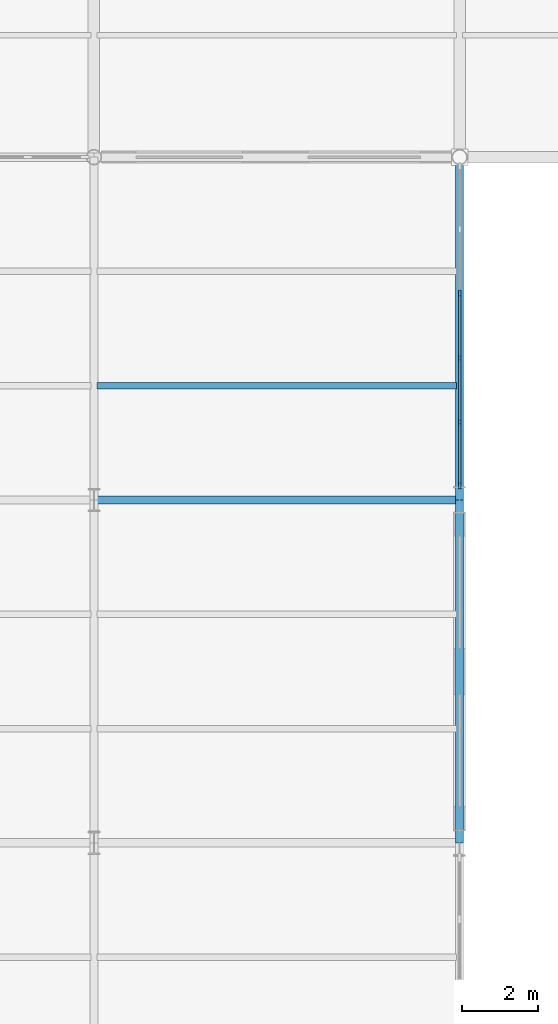
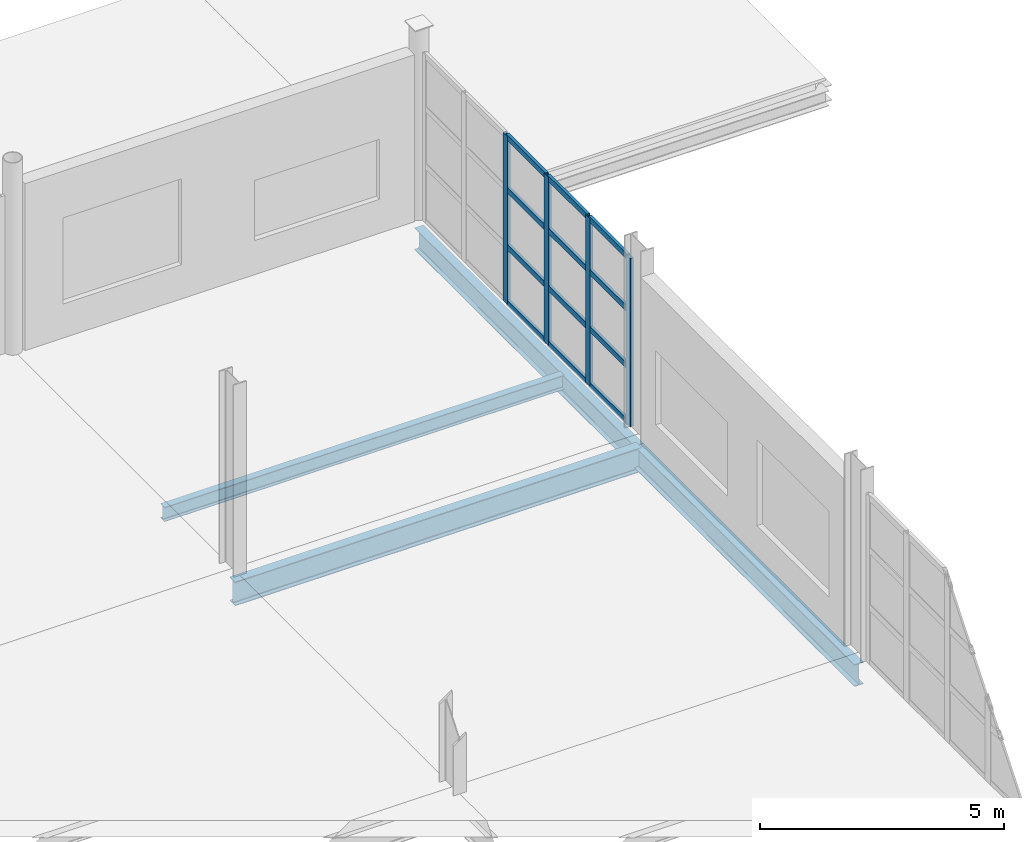
# One storey, part 25 of 120: 16 members, 4 beams, 1 element without a shape of its own.
"""IFC4 building model written with IfcOpenShell, lengths in metres."""

import ifcopenshell
import ifcopenshell.guid

model = None  # the IFC model being written
_history = None  # IfcOwnerHistory: only IFC2X3 demands one
_inside = {}  # id of a spatial element -> (the spatial element, [elements in it])
_under = {}  # id of a project, library or spatial element -> (it, [spatial elements below it])
_declared = {}  # id of a project -> (the project, [libraries it declares])
_typed = {}  # id of a type object -> (the type object, [elements of that type])
_made_of = {}  # id of a material, layer set ... -> (it, [elements and type objects made of it])


def new_model(schema):
    """Start an empty IFC model of exactly this schema.

    Asked for "IFC4X3", IfcOpenShell would pick the latest addendum, in which some entities
    have other attributes; the version numbers below select the first issue.
    IFC2X3 requires an IfcOwnerHistory on every rooted entity: one is made here for all.
    """
    global model, _history
    if schema == "IFC4X3":
        model = ifcopenshell.file(schema_version=(4, 3, 0, 0))
    else:
        model = ifcopenshell.file(schema=schema)
    _inside.clear()
    _under.clear()
    _declared.clear()
    _typed.clear()
    _made_of.clear()
    _history = None
    if model.schema == "IFC2X3":
        org = make("IfcOrganization", Name="unknown")
        user = make(
            "IfcPersonAndOrganization",
            ThePerson=make("IfcPerson", FamilyName="unknown"),
            TheOrganization=org,
        )
        app = make(
            "IfcApplication",
            ApplicationDeveloper=org,
            Version="unknown",
            ApplicationFullName="unknown",
            ApplicationIdentifier="unknown",
        )
        _history = make(
            "IfcOwnerHistory",
            OwningUser=user,
            OwningApplication=app,
            ChangeAction="ADDED",
            CreationDate=0,
        )
    return model


def make(cls, **values):
    """One entity of the class cls with the attributes given. An attribute that is None is left unset."""
    return model.create_entity(
        cls, **{name: value for name, value in values.items() if value is not None}
    )


def rooted(cls, **values):
    """An entity with a GlobalId (a new one), such as an element, a storey or a relation."""
    return make(cls, GlobalId=ifcopenshell.guid.new(), OwnerHistory=_history, **values)


def si_unit(unit_type, name, prefix=None):
    """IfcSIUnit, for example si_unit("LENGTHUNIT", "METRE", prefix="MILLI")."""
    return make("IfcSIUnit", UnitType=unit_type, Prefix=prefix, Name=name)


def assignment(units):
    """IfcUnitAssignment: the units of a project."""
    return None if units is None else make("IfcUnitAssignment", Units=units)


def point(xyz):
    """IfcCartesianPoint."""
    return None if xyz is None else make("IfcCartesianPoint", Coordinates=xyz)


def direction(xyz):
    """IfcDirection."""
    return None if xyz is None else make("IfcDirection", DirectionRatios=xyz)


def frame(location, z_axis=None, x_axis=None):
    """IfcAxis2Placement3D, a coordinate frame: its origin and axes. An axis left out is left unset."""
    return make(
        "IfcAxis2Placement3D",
        Location=point(location),
        Axis=direction(z_axis),
        RefDirection=direction(x_axis),
    )


def frame_2d(location, x_axis=None):
    """IfcAxis2Placement2D, a coordinate frame in the plane: its origin and x axis."""
    return make(
        "IfcAxis2Placement2D", Location=point(location), RefDirection=direction(x_axis)
    )


def origin():
    """The frame at (0, 0, 0) with its axes left unset."""
    return frame((0.0, 0.0, 0.0))


def origin_2d():
    """The frame at (0, 0) in the plane with its x axis left unset."""
    return frame_2d((0.0, 0.0))


def place(relative_to, where):
    """IfcLocalPlacement: puts the frame where relative to a parent placement (None: the world)."""
    return make(
        "IfcLocalPlacement", PlacementRelTo=relative_to, RelativePlacement=where
    )


def context(
    kind, dimensions, precision=None, world=None, true_north=None, identifier=None
):
    """IfcGeometricRepresentationContext, for example the 3D "Model" context."""
    return make(
        "IfcGeometricRepresentationContext",
        ContextIdentifier=identifier,
        ContextType=kind,
        CoordinateSpaceDimension=dimensions,
        Precision=precision,
        WorldCoordinateSystem=world,
        TrueNorth=true_north,
    )


def subcontext(parent, identifier, kind, view, scale=None):
    """IfcGeometricRepresentationSubContext, for example "Body" below "Model"."""
    return make(
        "IfcGeometricRepresentationSubContext",
        ContextIdentifier=identifier,
        ContextType=kind,
        ParentContext=parent,
        TargetScale=scale,
        TargetView=view,
    )


def project(units=None, contexts=None):
    """IfcProject with its units and contexts."""
    return rooted(
        "IfcProject",
        Name="project",
        RepresentationContexts=contexts,
        UnitsInContext=assignment(units),
    )


def spatial(cls, under=None, at=None, **own):
    """A site, building, storey or space (cls), placed at a placement, below another one or the project."""
    s = rooted(cls, ObjectPlacement=at, **own)
    if under is not None:
        _under.setdefault(under.id(), (under, []))[1].append(s)
    return s


def profile(cls, at=None, kind="AREA", **sizes):
    """A parametric profile (cls). Its sizes go by their IFC names, for example OverallWidth=200.0."""
    return make(cls, ProfileType=kind, Position=at, **sizes)


def rectangle(**sizes):
    """IfcRectangleProfileDef."""
    return profile("IfcRectangleProfileDef", **sizes)


def i_section(**sizes):
    """IfcIShapeProfileDef."""
    return profile("IfcIShapeProfileDef", **sizes)


def extrude(swept, where, along, depth):
    """IfcExtrudedAreaSolid: the profile swept, set in the frame where, extruded along a direction by depth."""
    return make(
        "IfcExtrudedAreaSolid",
        SweptArea=swept,
        Position=where,
        ExtrudedDirection=direction(along),
        Depth=depth,
    )


def shape(context_of_items, identifier, shape_type, items):
    """IfcShapeRepresentation: the items that make up one representation, for example the "Body"."""
    return make(
        "IfcShapeRepresentation",
        ContextOfItems=context_of_items,
        RepresentationIdentifier=identifier,
        RepresentationType=shape_type,
        Items=items,
    )


def material(Name=None, Category=None):
    """IfcMaterial."""
    return make("IfcMaterial", Name=Name, Category=Category)


def layer(
    of_material, thickness, ventilated=None, Name=None, Category=None, Priority=None
):
    """IfcMaterialLayer: one layer of a wall or slab, of a material (None: an air gap)."""
    return make(
        "IfcMaterialLayer",
        Material=of_material,
        LayerThickness=thickness,
        IsVentilated=ventilated,
        Name=Name,
        Category=Category,
        Priority=Priority,
    )


def layer_set(layers, Name=None):
    """IfcMaterialLayerSet."""
    return make("IfcMaterialLayerSet", MaterialLayers=layers, LayerSetName=Name)


def material_profile(
    of_material, cross_section, Name=None, Category=None, Priority=None
):
    """IfcMaterialProfile: a cross section and its material."""
    return make(
        "IfcMaterialProfile",
        Name=Name,
        Material=of_material,
        Profile=cross_section,
        Priority=Priority,
        Category=Category,
    )


def profile_set(profiles, Name=None, composite=None):
    """IfcMaterialProfileSet."""
    return make(
        "IfcMaterialProfileSet",
        Name=Name,
        MaterialProfiles=profiles,
        CompositeProfile=composite,
    )


def made_of(thing, what):
    """Note that an element or type object is made of a material, layer set ...; save() writes the relation."""
    if what is not None:
        _made_of.setdefault(what.id(), (what, []))[1].append(thing)
    return thing


def type_object(cls, material=None, **own):
    """A type object (cls), such as IfcWallType, which elements share."""
    return made_of(rooted(cls, **own), material)


def element(
    cls,
    number,
    at=None,
    inside=None,
    cuts=None,
    type_object=None,
    material=None,
    context=None,
    identifier="Body",
    shape_type=None,
    held_by="IfcProductDefinitionShape",
    body=None,
    shapes=None,
    **own,
):
    """One element of the class cls, such as IfcWall. Its Tag is "e" and its number.

    at: its placement. inside: the storey or other place that contains it. cuts: it is an
    opening in that element (IfcRelVoidsElement). A single representation is given by context,
    identifier, shape_type and body (its items); several are given by shapes. held_by: the class
    of the entity that holds the representations. save() writes the other relations.
    """
    e = rooted(cls, Tag="e%d" % number, ObjectPlacement=at, **own)
    if body is not None:
        shapes = [shape(context, identifier, shape_type, body)]
    if shapes is not None:
        e.Representation = make(held_by, Representations=shapes)
    if inside is not None:
        _inside.setdefault(inside.id(), (inside, []))[1].append(e)
    if cuts is not None:
        rooted(
            "IfcRelVoidsElement", RelatingBuildingElement=cuts, RelatedOpeningElement=e
        )
    if type_object is not None:
        _typed.setdefault(type_object.id(), (type_object, []))[1].append(e)
    return made_of(e, material)


def aggregate(whole, parts):
    """IfcRelAggregates: a whole, such as a stair, and the parts it consists of."""
    return rooted("IfcRelAggregates", RelatingObject=whole, RelatedObjects=parts)


def save(model, path):
    """Write the relations noted so far, then the file.

    IfcRelAggregates (storeys below a building ...), IfcRelContainedInSpatialStructure (elements
    in a storey), IfcRelDefinesByType, IfcRelAssociatesMaterial and IfcRelDeclares: one each for
    every whole, place, type object, material and project.
    """
    for whole, parts in _under.values():
        aggregate(whole, parts)
    for where, things in _inside.values():
        rooted(
            "IfcRelContainedInSpatialStructure",
            RelatedElements=things,
            RelatingStructure=where,
        )
    for kind, things in _typed.values():
        rooted("IfcRelDefinesByType", RelatedObjects=things, RelatingType=kind)
    for what, things in _made_of.values():
        rooted("IfcRelAssociatesMaterial", RelatedObjects=things, RelatingMaterial=what)
    for by, libraries in _declared.values():
        rooted("IfcRelDeclares", RelatingContext=by, RelatedDefinitions=libraries)
    model.write(path)


model = new_model("IFC4")

# Units and contexts
model_context = context("Model", 3, precision=1e-05, world=origin(), true_north=direction((0.0, 1.0)))
body_context = subcontext(model_context, "Body", "Model", "MODEL_VIEW")
ifc_project = project(units=[si_unit("LENGTHUNIT", "METRE"), si_unit("AREAUNIT", "SQUARE_METRE"), si_unit("VOLUMEUNIT", "CUBIC_METRE"), si_unit("PLANEANGLEUNIT", "RADIAN"), si_unit("MASSUNIT", "GRAM", prefix="KILO")], contexts=[model_context])

# Site, building, storey
site_placement = place(None, origin())
site = spatial("IfcSite", under=ifc_project, at=site_placement, CompositionType="ELEMENT")
building_placement = place(site_placement, origin())
building = spatial("IfcBuilding", under=site, at=building_placement, Name="Zarnetskaya Central Station", CompositionType="ELEMENT")
storey_placement = place(building_placement, frame((0.0, 0.0, 5.39990234375)))
storey = spatial("IfcBuildingStorey", under=building, at=storey_placement, Name="L01", CompositionType="ELEMENT", Elevation=5.39990234375)

# Beam
ifc_material_1 = material(Name="Steel S355", Category="steel")
ifc_material_profile_1 = material_profile(ifc_material_1, i_section(OverallWidth=0.169921875, OverallDepth=0.360107421875, WebThickness=0.008056640625, FlangeThickness=0.0126953125, FilletRadius=0.01806640625, at=origin_2d()), Name="IPE 360")
ifc_profile_set_1 = profile_set([ifc_material_profile_1], Name="Steel S355")
beam_type_1 = type_object("IfcBeamType", Name="BM-SEC-360", PredefinedType="BEAM", material=ifc_profile_set_1)
beam_1_placement = place(storey_placement, frame((28.8798828125, 61.199951171875, -0.4599609375), z_axis=(1.0, 0.0, 0.0), x_axis=(0.0, 1.0, 0.0)))
element("IfcBeam", 1, at=beam_1_placement, inside=storey, type_object=beam_type_1, Name="Secondary floor beam SEC-L01-Z512-DE-89-1", PredefinedType="BEAM", context=body_context, shape_type="SweptSolid", body=[
    extrude(i_section(OverallWidth=0.169921875, OverallDepth=0.360107421875, WebThickness=0.008056640625, FlangeThickness=0.0126953125, FilletRadius=0.01806640625, at=origin_2d()), origin(), (0.0, 0.0, 1.0), 9.440185546875),
])

# Curtain wall, members
ifc_material_2 = material(Name="Low-E insulated glass", Category="glass")
ifc_layer = layer(ifc_material_2, 0.16796875, Name="Low-E insulated glass", Category="glass")
ifc_layer_set = layer_set([ifc_layer], Name="Low-E insulated glass")
curtain_wall_type = type_object("IfcCurtainWallType", Name="CW-SYS-03", PredefinedType="USERDEFINED", material=ifc_layer_set)
curtain_wall_placement = place(storey_placement, origin())
curtain_wall = element("IfcCurtainWall", 2, at=curtain_wall_placement, inside=storey, type_object=curtain_wall_type, Name="Curtain wall CW-L01-007", ObjectType="CURTAIN WALL", PredefinedType="USERDEFINED")
ifc_material_3 = material(Name="Anodised aluminium", Category="aluminium")
ifc_material_profile_2 = material_profile(ifc_material_3, rectangle(XDim=0.070068359375, YDim=0.179931640625, at=origin_2d()), Name="ALU MULL 70x180")
ifc_profile_set_2 = profile_set([ifc_material_profile_2], Name="Anodised aluminium")
member_type_1 = type_object("IfcMemberType", Name="CW-MULL-180", PredefinedType="MULLION", material=ifc_profile_set_2)
member_1_placement = place(storey_placement, frame((38.39990234375, 63.6181640625, 0.0), z_axis=(0.0, 0.0, 1.0), x_axis=(1.0, 0.0, 0.0)))
member_1 = element("IfcMember", 3, at=member_1_placement, type_object=member_type_1, Name="CW-12 mullion 3", PredefinedType="MULLION", context=body_context, shape_type="SweptSolid", body=[
    extrude(rectangle(XDim=0.070068359375, YDim=0.179931640625, at=origin_2d()), origin(), (0.0, 0.0, 1.0), 4.2001953125),
])
member_2_placement = place(storey_placement, frame((38.39990234375, 61.9287109375, 0.0), z_axis=(0.0, 0.0, 1.0), x_axis=(1.0, 0.0, 0.0)))
member_2 = element("IfcMember", 4, at=member_2_placement, type_object=member_type_1, Name="CW-12 mullion 4", PredefinedType="MULLION", context=body_context, shape_type="SweptSolid", body=[
    extrude(rectangle(XDim=0.070068359375, YDim=0.179931640625, at=origin_2d()), origin(), (0.0, 0.0, 1.0), 4.2001953125),
])
member_3_placement = place(storey_placement, frame((38.39990234375, 60.2392578125, 0.0), z_axis=(0.0, 0.0, 1.0), x_axis=(1.0, 0.0, 0.0)))
member_3 = element("IfcMember", 5, at=member_3_placement, type_object=member_type_1, Name="CW-12 mullion 5", PredefinedType="MULLION", context=body_context, shape_type="SweptSolid", body=[
    extrude(rectangle(XDim=0.070068359375, YDim=0.179931640625, at=origin_2d()), origin(), (0.0, 0.0, 1.0), 4.2001953125),
])
member_4_placement = place(storey_placement, frame((38.39990234375, 58.5849609375, 0.0), z_axis=(0.0, 0.0, 1.0), x_axis=(1.0, 0.0, 0.0)))
member_4 = element("IfcMember", 6, at=member_4_placement, type_object=member_type_1, Name="CW-12 mullion 6", PredefinedType="MULLION", context=body_context, shape_type="SweptSolid", body=[
    extrude(rectangle(XDim=0.070068359375, YDim=0.179931640625, at=origin_2d()), origin(), (0.0, 0.0, 1.0), 4.2001953125),
])
ifc_material_profile_3 = material_profile(ifc_material_3, rectangle(XDim=0.070068359375, YDim=0.139892578125, at=origin_2d()), Name="ALU TRAN 70x140")
ifc_profile_set_3 = profile_set([ifc_material_profile_3], Name="Anodised aluminium")
member_type_2 = type_object("IfcMemberType", Name="CW-TRAN-140", PredefinedType="USERDEFINED", material=ifc_profile_set_3)
member_5_placement = place(storey_placement, frame((38.39990234375, 63.5830078125, 0.03515625), z_axis=(0.0, -1.0, 0.0), x_axis=(1.0, 0.0, 0.0)))
member_5 = element("IfcMember", 7, at=member_5_placement, type_object=member_type_2, Name="CW-12 transom 3.1", ObjectType="TRANSOM", PredefinedType="USERDEFINED", context=body_context, shape_type="SweptSolid", body=[
    extrude(rectangle(XDim=0.070068359375, YDim=0.139892578125, at=origin_2d()), origin(), (0.0, 0.0, 1.0), 1.619384765625),
])
member_6_placement = place(storey_placement, frame((38.39990234375, 63.5830078125, 1.427978515625), z_axis=(0.0, -1.0, 0.0), x_axis=(1.0, 0.0, 0.0)))
member_6 = element("IfcMember", 8, at=member_6_placement, type_object=member_type_2, Name="CW-12 transom 3.2", ObjectType="TRANSOM", PredefinedType="USERDEFINED", context=body_context, shape_type="SweptSolid", body=[
    extrude(rectangle(XDim=0.070068359375, YDim=0.139892578125, at=origin_2d()), origin(), (0.0, 0.0, 1.0), 1.619384765625),
])
member_7_placement = place(storey_placement, frame((38.39990234375, 63.5830078125, 2.856201171875), z_axis=(0.0, -1.0, 0.0), x_axis=(1.0, 0.0, 0.0)))
member_7 = element("IfcMember", 9, at=member_7_placement, type_object=member_type_2, Name="CW-12 transom 3.3", ObjectType="TRANSOM", PredefinedType="USERDEFINED", context=body_context, shape_type="SweptSolid", body=[
    extrude(rectangle(XDim=0.070068359375, YDim=0.139892578125, at=origin_2d()), origin(), (0.0, 0.0, 1.0), 1.619384765625),
])
member_8_placement = place(storey_placement, frame((38.39990234375, 63.5830078125, 4.1650390625), z_axis=(0.0, -1.0, 0.0), x_axis=(1.0, 0.0, 0.0)))
member_8 = element("IfcMember", 10, at=member_8_placement, type_object=member_type_2, Name="CW-12 transom 3.4", ObjectType="TRANSOM", PredefinedType="USERDEFINED", context=body_context, shape_type="SweptSolid", body=[
    extrude(rectangle(XDim=0.070068359375, YDim=0.139892578125, at=origin_2d()), origin(), (0.0, 0.0, 1.0), 1.619384765625),
])
member_9_placement = place(storey_placement, frame((38.39990234375, 61.893798828125, 0.03515625), z_axis=(0.0, -1.0, 0.0), x_axis=(1.0, 0.0, 0.0)))
member_9 = element("IfcMember", 11, at=member_9_placement, type_object=member_type_2, Name="CW-12 transom 4.1", ObjectType="TRANSOM", PredefinedType="USERDEFINED", context=body_context, shape_type="SweptSolid", body=[
    extrude(rectangle(XDim=0.070068359375, YDim=0.139892578125, at=origin_2d()), origin(), (0.0, 0.0, 1.0), 1.619384765625),
])
member_10_placement = place(storey_placement, frame((38.39990234375, 61.893798828125, 1.427978515625), z_axis=(0.0, -1.0, 0.0), x_axis=(1.0, 0.0, 0.0)))
member_10 = element("IfcMember", 12, at=member_10_placement, type_object=member_type_2, Name="CW-12 transom 4.2", ObjectType="TRANSOM", PredefinedType="USERDEFINED", context=body_context, shape_type="SweptSolid", body=[
    extrude(rectangle(XDim=0.070068359375, YDim=0.139892578125, at=origin_2d()), origin(), (0.0, 0.0, 1.0), 1.619384765625),
])
member_11_placement = place(storey_placement, frame((38.39990234375, 61.893798828125, 2.856201171875), z_axis=(0.0, -1.0, 0.0), x_axis=(1.0, 0.0, 0.0)))
member_11 = element("IfcMember", 13, at=member_11_placement, type_object=member_type_2, Name="CW-12 transom 4.3", ObjectType="TRANSOM", PredefinedType="USERDEFINED", context=body_context, shape_type="SweptSolid", body=[
    extrude(rectangle(XDim=0.070068359375, YDim=0.139892578125, at=origin_2d()), origin(), (0.0, 0.0, 1.0), 1.619384765625),
])
member_12_placement = place(storey_placement, frame((38.39990234375, 61.893798828125, 4.1650390625), z_axis=(0.0, -1.0, 0.0), x_axis=(1.0, 0.0, 0.0)))
member_12 = element("IfcMember", 14, at=member_12_placement, type_object=member_type_2, Name="CW-12 transom 4.4", ObjectType="TRANSOM", PredefinedType="USERDEFINED", context=body_context, shape_type="SweptSolid", body=[
    extrude(rectangle(XDim=0.070068359375, YDim=0.139892578125, at=origin_2d()), origin(), (0.0, 0.0, 1.0), 1.619384765625),
])
member_13_placement = place(storey_placement, frame((38.39990234375, 60.204345703125, 0.03515625), z_axis=(0.0, -1.0, 0.0), x_axis=(1.0, 0.0, 0.0)))
member_13 = element("IfcMember", 15, at=member_13_placement, type_object=member_type_2, Name="CW-12 transom 5.1", ObjectType="TRANSOM", PredefinedType="USERDEFINED", context=body_context, shape_type="SweptSolid", body=[
    extrude(rectangle(XDim=0.070068359375, YDim=0.139892578125, at=origin_2d()), origin(), (0.0, 0.0, 1.0), 1.584228515625),
])
member_14_placement = place(storey_placement, frame((38.39990234375, 60.204345703125, 1.427978515625), z_axis=(0.0, -1.0, 0.0), x_axis=(1.0, 0.0, 0.0)))
member_14 = element("IfcMember", 16, at=member_14_placement, type_object=member_type_2, Name="CW-12 transom 5.2", ObjectType="TRANSOM", PredefinedType="USERDEFINED", context=body_context, shape_type="SweptSolid", body=[
    extrude(rectangle(XDim=0.070068359375, YDim=0.139892578125, at=origin_2d()), origin(), (0.0, 0.0, 1.0), 1.584228515625),
])
member_15_placement = place(storey_placement, frame((38.39990234375, 60.204345703125, 2.856201171875), z_axis=(0.0, -1.0, 0.0), x_axis=(1.0, 0.0, 0.0)))
member_15 = element("IfcMember", 17, at=member_15_placement, type_object=member_type_2, Name="CW-12 transom 5.3", ObjectType="TRANSOM", PredefinedType="USERDEFINED", context=body_context, shape_type="SweptSolid", body=[
    extrude(rectangle(XDim=0.070068359375, YDim=0.139892578125, at=origin_2d()), origin(), (0.0, 0.0, 1.0), 1.584228515625),
])
member_16_placement = place(storey_placement, frame((38.39990234375, 60.204345703125, 4.1650390625), z_axis=(0.0, -1.0, 0.0), x_axis=(1.0, 0.0, 0.0)))
member_16 = element("IfcMember", 18, at=member_16_placement, type_object=member_type_2, Name="CW-12 transom 5.4", ObjectType="TRANSOM", PredefinedType="USERDEFINED", context=body_context, shape_type="SweptSolid", body=[
    extrude(rectangle(XDim=0.070068359375, YDim=0.139892578125, at=origin_2d()), origin(), (0.0, 0.0, 1.0), 1.584228515625),
])
aggregate(curtain_wall, [member_1, member_2, member_3, member_4, member_5, member_6, member_7, member_8, member_9, member_10, member_11, member_12, member_13, member_14, member_15, member_16])

# Beams
ifc_material_profile_4 = material_profile(ifc_material_1, i_section(OverallWidth=0.2099609375, OverallDepth=0.550048828125, WebThickness=0.010986328125, FlangeThickness=0.01708984375, FilletRadius=0.02392578125, at=origin_2d()), Name="IPE 550")
ifc_profile_set_4 = profile_set([ifc_material_profile_4], Name="Steel S355")
beam_type_2 = type_object("IfcBeamType", Name="GD-FLR-550", PredefinedType="USERDEFINED", material=ifc_profile_set_4)
for number, where, z_axis, x_axis, name in (
    (19, (38.39990234375, 49.199951171875, -0.554931640625), (0.0, 1.0, 0.0), (-1.0, 0.0, 0.0), "Grid girder GY-L01-E-78"),
    (20, (38.39990234375, 58.199951171875, -0.554931640625), (0.0, 1.0, 0.0), (-1.0, 0.0, 0.0), "Grid girder GY-L01-E-89"),
):
    element("IfcBeam", number, at=place(storey_placement, frame(where, z_axis=z_axis, x_axis=x_axis)), inside=storey, type_object=beam_type_2, Name=name, ObjectType="GIRDER", PredefinedType="USERDEFINED", context=body_context, shape_type="SweptSolid", body=[
        extrude(i_section(OverallWidth=0.2099609375, OverallDepth=0.550048828125, WebThickness=0.010986328125, FlangeThickness=0.01708984375, FilletRadius=0.02392578125, at=origin_2d()), origin(), (0.0, 0.0, 1.0), 9.0),
    ])
ifc_material_profile_5 = material_profile(ifc_material_1, i_section(OverallWidth=0.219970703125, OverallDepth=0.60009765625, WebThickness=0.011962890625, FlangeThickness=0.01904296875, FilletRadius=0.02392578125, at=origin_2d()), Name="IPE 600")
ifc_profile_set_5 = profile_set([ifc_material_profile_5], Name="Steel S355")
beam_type_3 = type_object("IfcBeamType", Name="GD-FLR-600", PredefinedType="USERDEFINED", material=ifc_profile_set_5)
beam_2_placement = place(storey_placement, frame((28.800048828125, 58.199951171875, -0.579833984375), z_axis=(1.0, 0.0, 0.0), x_axis=(0.0, 1.0, 0.0)))
element("IfcBeam", 21, at=beam_2_placement, inside=storey, type_object=beam_type_3, Name="Grid girder GX-L01-8-DE", ObjectType="GIRDER", PredefinedType="USERDEFINED", context=body_context, shape_type="SweptSolid", body=[
    extrude(i_section(OverallWidth=0.219970703125, OverallDepth=0.60009765625, WebThickness=0.011962890625, FlangeThickness=0.01904296875, FilletRadius=0.02392578125, at=origin_2d()), origin(), (0.0, 0.0, 1.0), 9.599853515625),
])

save(model, "model.ifc")
